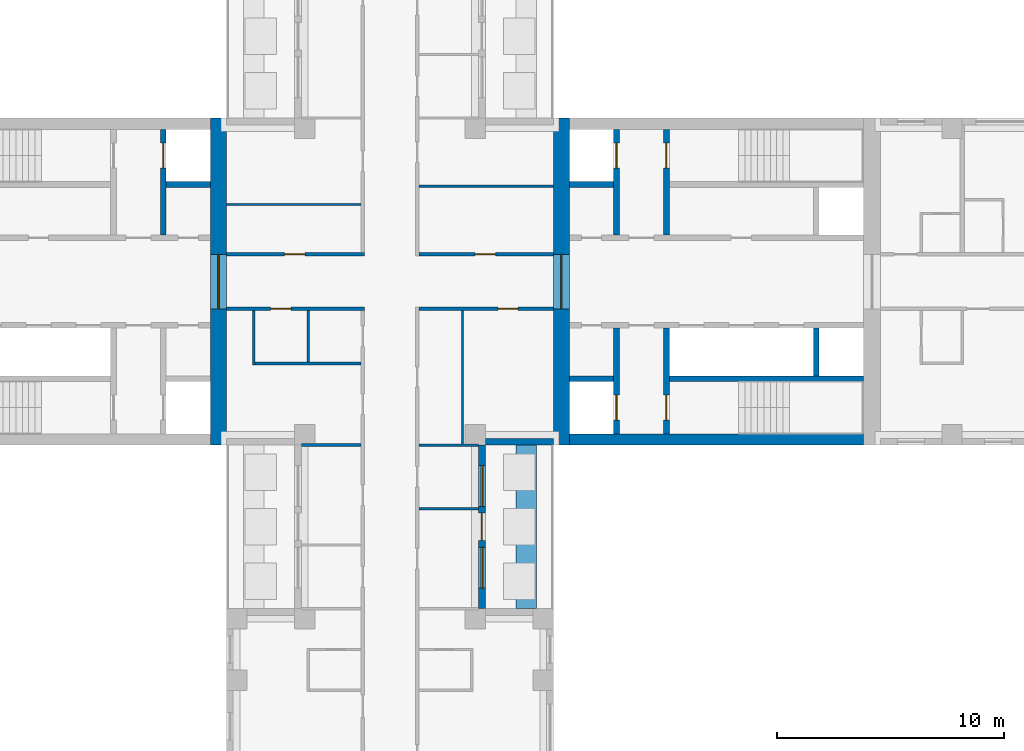
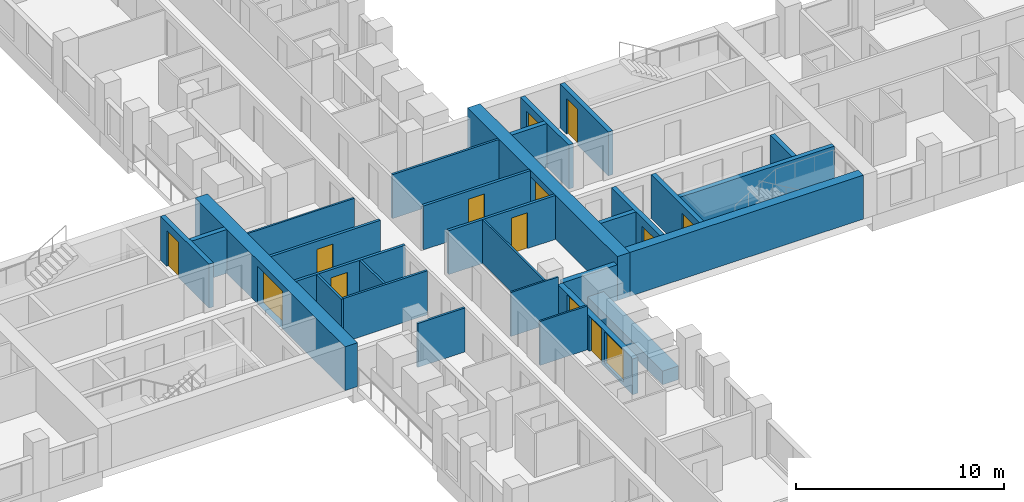
# One storey, part 7 of 15: 29 walls, 12 doors, 2 windows, 14 openings.
"""IFC4 building model written with IfcOpenShell, lengths in metres."""

from ifc_helpers import new_model, si_unit, direction, frame, frame_2d, origin, place, context, subcontext, project, spatial, rectangle, extrude, material, layer, layer_set, type_object, element, fill, save


model = new_model("IFC4")

# Units and contexts
model_context = context("Model", 3, precision=1e-05, world=origin(), true_north=direction((0.0, 1.0)))
body_context = subcontext(model_context, "Body", "Model", "MODEL_VIEW")
ifc_project = project(units=[si_unit("LENGTHUNIT", "METRE"), si_unit("AREAUNIT", "SQUARE_METRE"), si_unit("VOLUMEUNIT", "CUBIC_METRE"), si_unit("PLANEANGLEUNIT", "RADIAN"), si_unit("MASSUNIT", "GRAM", prefix="KILO")], contexts=[model_context])

# Site, building, storey
site_placement = place(None, origin())
site = spatial("IfcSite", under=ifc_project, at=site_placement, CompositionType="ELEMENT")
building_placement = place(site_placement, origin())
building = spatial("IfcBuilding", under=site, at=building_placement, Name="Fustian Cross Tower", CompositionType="ELEMENT")
storey_placement = place(building_placement, frame((0.0, 0.0, 38.699951171875)))
storey = spatial("IfcBuildingStorey", under=building, at=storey_placement, Name="L11", CompositionType="ELEMENT", Elevation=38.699951171875)

# Wall, opening, door
ifc_material_1 = material(Name="Plasterboard on steel stud", Category="steel")
ifc_layer_1 = layer(ifc_material_1, 0.14990234375)
ifc_layer_set_1 = layer_set([ifc_layer_1], Name="Plasterboard on steel stud")
wall_type_1 = type_object("IfcWallType", Name="COMPARTMENT WALL 150 EI 60", PredefinedType="PARTITIONING", material=ifc_layer_set_1)
wall_1_placement = place(storey_placement, frame((-7.199951171875, -1.199951171875, 0.0), z_axis=(0.0, 0.0, 1.0), x_axis=(1.0, 0.0, 0.0)))
wall_1 = element("IfcWall", 1, at=wall_1_placement, inside=storey, type_object=wall_type_1, Name="Partition 11", PredefinedType="PARTITIONING", context=body_context, shape_type="SweptSolid", body=[
    extrude(rectangle(XDim=6.074951171875, YDim=0.14990234375, at=frame_2d((3.03759765625, 0.0))), origin(), (0.0, 0.0, 1.0), 2.574951171875),
])
opening_1_placement = place(wall_1_placement, frame((1.949951171875, 0.0, 0.0)))
opening_1 = element("IfcOpeningElement", 2, at=opening_1_placement, cuts=wall_1, Name="Opening D07008", PredefinedType="OPENING", context=body_context, shape_type="SweptSolid", body=[
    extrude(rectangle(XDim=0.89990234375, YDim=2.10009765625, at=frame_2d((0.449951171875, 1.050048828125))), frame((0.0, 0.0849609375, 0.0), z_axis=(0.0, -1.0, 0.0), x_axis=(1.0, 0.0, 0.0)), (0.0, 0.0, 1.0), 0.169921875),
])
ifc_material_2 = material(Name="Timber fire door set", Category="wood")
door_type_1 = type_object("IfcDoorType", Name="FIRE SWING DOOR 900 FD30S", OperationType="SINGLE_SWING_LEFT", PredefinedType="DOOR", material=ifc_material_2)
door_1_placement = place(opening_1_placement, frame((0.89990234375, 0.0, 0.0), z_axis=(0.0, 0.0, 1.0), x_axis=(-1.0, 0.0, 0.0)))
door_1 = element("IfcDoor", 3, at=door_1_placement, inside=storey, type_object=door_type_1, Name="Door D07008", OperationType="SINGLE_SWING_RIGHT", OverallHeight=2.10009765625, OverallWidth=0.89990234375, PredefinedType="DOOR", context=body_context, shape_type="SweptSolid", body=[
    extrude(rectangle(XDim=0.89990234375, YDim=2.10009765625, at=frame_2d((0.449951171875, 1.050048828125))), frame((0.0, 0.02490234375, 0.0), z_axis=(0.0, -1.0, 0.0), x_axis=(1.0, 0.0, 0.0)), (0.0, 0.0, 1.0), 0.050048828125),
])
fill(opening_1, door_1)

wall_2_placement = place(storey_placement, frame((-7.199951171875, 1.199951171875, 0.0), z_axis=(0.0, 0.0, 1.0), x_axis=(1.0, 0.0, 0.0)))
wall_2 = element("IfcWall", 4, at=wall_2_placement, inside=storey, type_object=wall_type_1, Name="Partition 12", PredefinedType="PARTITIONING", context=body_context, shape_type="SweptSolid", body=[
    extrude(rectangle(XDim=6.074951171875, YDim=0.14990234375, at=frame_2d((3.03759765625, 0.0))), origin(), (0.0, 0.0, 1.0), 2.574951171875),
])
opening_2_placement = place(wall_2_placement, frame((2.550048828125, 0.0, 0.0)))
opening_2 = element("IfcOpeningElement", 5, at=opening_2_placement, cuts=wall_2, Name="Opening D07003", PredefinedType="OPENING", context=body_context, shape_type="SweptSolid", body=[
    extrude(rectangle(XDim=0.89990234375, YDim=2.10009765625, at=frame_2d((0.449951171875, 1.050048828125))), frame((0.0, 0.0849609375, 0.0), z_axis=(0.0, -1.0, 0.0), x_axis=(1.0, 0.0, 0.0)), (0.0, 0.0, 1.0), 0.169921875),
])
door_2_placement = place(opening_2_placement, origin())
door_2 = element("IfcDoor", 6, at=door_2_placement, inside=storey, type_object=door_type_1, Name="Door D07003", OperationType="SINGLE_SWING_LEFT", OverallHeight=2.10009765625, OverallWidth=0.89990234375, PredefinedType="DOOR", context=body_context, shape_type="SweptSolid", body=[
    extrude(rectangle(XDim=0.89990234375, YDim=2.10009765625, at=frame_2d((0.449951171875, 1.050048828125))), frame((0.0, 0.02490234375, 0.0), z_axis=(0.0, -1.0, 0.0), x_axis=(1.0, 0.0, 0.0)), (0.0, 0.0, 1.0), 0.050048828125),
])
fill(opening_2, door_2)

wall_3_placement = place(storey_placement, frame((1.27490234375, -1.199951171875, 0.0), z_axis=(0.0, 0.0, 1.0), x_axis=(1.0, 0.0, 0.0)))
wall_3 = element("IfcWall", 7, at=wall_3_placement, inside=storey, type_object=wall_type_1, Name="Partition 51", PredefinedType="PARTITIONING", context=body_context, shape_type="SweptSolid", body=[
    extrude(rectangle(XDim=5.925048828125, YDim=0.14990234375, at=frame_2d((2.96240234375, 0.0))), origin(), (0.0, 0.0, 1.0), 2.574951171875),
])
opening_3_placement = place(wall_3_placement, frame((3.47509765625, 0.0, 0.0)))
opening_3 = element("IfcOpeningElement", 8, at=opening_3_placement, cuts=wall_3, Name="Opening D07006", PredefinedType="OPENING", context=body_context, shape_type="SweptSolid", body=[
    extrude(rectangle(XDim=0.89990234375, YDim=2.10009765625, at=frame_2d((0.449951171875, 1.050048828125))), frame((0.0, 0.0849609375, 0.0), z_axis=(0.0, -1.0, 0.0), x_axis=(1.0, 0.0, 0.0)), (0.0, 0.0, 1.0), 0.169921875),
])
door_3_placement = place(opening_3_placement, frame((0.89990234375, 0.0, 0.0), z_axis=(0.0, 0.0, 1.0), x_axis=(-1.0, 0.0, 0.0)))
door_3 = element("IfcDoor", 9, at=door_3_placement, inside=storey, type_object=door_type_1, Name="Door D07006", OperationType="SINGLE_SWING_RIGHT", OverallHeight=2.10009765625, OverallWidth=0.89990234375, PredefinedType="DOOR", context=body_context, shape_type="SweptSolid", body=[
    extrude(rectangle(XDim=0.89990234375, YDim=2.10009765625, at=frame_2d((0.449951171875, 1.050048828125))), frame((0.0, 0.02490234375, 0.0), z_axis=(0.0, -1.0, 0.0), x_axis=(1.0, 0.0, 0.0)), (0.0, 0.0, 1.0), 0.050048828125),
])
fill(opening_3, door_3)

wall_4_placement = place(storey_placement, frame((1.27490234375, 1.199951171875, 0.0), z_axis=(0.0, 0.0, 1.0), x_axis=(1.0, 0.0, 0.0)))
wall_4 = element("IfcWall", 10, at=wall_4_placement, inside=storey, type_object=wall_type_1, Name="Partition 53", PredefinedType="PARTITIONING", context=body_context, shape_type="SweptSolid", body=[
    extrude(rectangle(XDim=5.925048828125, YDim=0.14990234375, at=frame_2d((2.96240234375, 0.0))), origin(), (0.0, 0.0, 1.0), 2.574951171875),
])
opening_4_placement = place(wall_4_placement, frame((2.47509765625, 0.0, 0.0)))
opening_4 = element("IfcOpeningElement", 11, at=opening_4_placement, cuts=wall_4, Name="Opening D07001", PredefinedType="OPENING", context=body_context, shape_type="SweptSolid", body=[
    extrude(rectangle(XDim=0.89990234375, YDim=2.10009765625, at=frame_2d((0.449951171875, 1.050048828125))), frame((0.0, 0.0849609375, 0.0), z_axis=(0.0, -1.0, 0.0), x_axis=(1.0, 0.0, 0.0)), (0.0, 0.0, 1.0), 0.169921875),
])
door_4_placement = place(opening_4_placement, origin())
door_4 = element("IfcDoor", 12, at=door_4_placement, inside=storey, type_object=door_type_1, Name="Door D07001", OperationType="SINGLE_SWING_LEFT", OverallHeight=2.10009765625, OverallWidth=0.89990234375, PredefinedType="DOOR", context=body_context, shape_type="SweptSolid", body=[
    extrude(rectangle(XDim=0.89990234375, YDim=2.10009765625, at=frame_2d((0.449951171875, 1.050048828125))), frame((0.0, 0.02490234375, 0.0), z_axis=(0.0, -1.0, 0.0), x_axis=(1.0, 0.0, 0.0)), (0.0, 0.0, 1.0), 0.050048828125),
])
fill(opening_4, door_4)

ifc_material_3 = material(Name="Concrete C80/95", Category="concrete")
ifc_layer_2 = layer(ifc_material_3, 0.699951171875)
ifc_layer_set_2 = layer_set([ifc_layer_2], Name="Concrete C80/95")
wall_type_2 = type_object("IfcWallType", Name="CORE END WALL 700 C80/95", PredefinedType="SHEAR", material=ifc_layer_set_2)
wall_5_placement = place(storey_placement, frame((7.550048828125, -7.199951171875, 0.0), z_axis=(0.0, 0.0, 1.0), x_axis=(0.0, 1.0, 0.0)))
wall_5 = element("IfcWall", 13, at=wall_5_placement, inside=storey, type_object=wall_type_2, Name="Core end wall", PredefinedType="SHEAR", context=body_context, shape_type="SweptSolid", body=[
    extrude(rectangle(XDim=14.39990234375, YDim=0.699951171875, at=frame_2d((7.199951171875, 0.0))), origin(), (0.0, 0.0, 1.0), 2.574951171875),
])
opening_5_placement = place(wall_5_placement, frame((6.0, 0.0, 0.0)))
opening_5 = element("IfcOpeningElement", 14, at=opening_5_placement, cuts=wall_5, Name="Opening CD-04-12", PredefinedType="OPENING", context=body_context, shape_type="SweptSolid", body=[
    extrude(rectangle(XDim=2.39990234375, YDim=2.199951171875, at=frame_2d((1.199951171875, 1.10009765625))), frame((0.0, 0.35986328125, 0.0), z_axis=(0.0, -1.0, 0.0), x_axis=(1.0, 0.0, 0.0)), (0.0, 0.0, 1.0), 0.719970703125),
])
ifc_material_4 = material(Name="Steel", Category="steel")
door_type_2 = type_object("IfcDoorType", Name="FIRE DOOR FD30S DOUBLE 2400X2200", OperationType="DOUBLE_DOOR_DOUBLE_SWING", PredefinedType="DOOR", material=ifc_material_4)
door_5_placement = place(opening_5_placement, frame((2.39990234375, 0.0, 0.0), z_axis=(0.0, 0.0, 1.0), x_axis=(-1.0, 0.0, 0.0)))
door_5 = element("IfcDoor", 15, at=door_5_placement, inside=storey, type_object=door_type_2, Name="Core door CD-04-12", OperationType="DOUBLE_DOOR_DOUBLE_SWING", OverallHeight=2.199951171875, OverallWidth=2.39990234375, PredefinedType="DOOR", context=body_context, shape_type="SweptSolid", body=[
    extrude(rectangle(XDim=2.39990234375, YDim=2.199951171875, at=frame_2d((1.199951171875, 1.10009765625))), frame((0.0, 0.02490234375, 0.0), z_axis=(0.0, -1.0, 0.0), x_axis=(1.0, 0.0, 0.0)), (0.0, 0.0, 1.0), 0.050048828125),
])
fill(opening_5, door_5)

wall_6_placement = place(storey_placement, frame((-7.550048828125, -7.199951171875, 0.0), z_axis=(0.0, 0.0, 1.0), x_axis=(0.0, 1.0, 0.0)))
wall_6 = element("IfcWall", 16, at=wall_6_placement, inside=storey, type_object=wall_type_2, Name="Core end wall", PredefinedType="SHEAR", context=body_context, shape_type="SweptSolid", body=[
    extrude(rectangle(XDim=14.39990234375, YDim=0.699951171875, at=frame_2d((7.199951171875, 0.0))), origin(), (0.0, 0.0, 1.0), 2.574951171875),
])
opening_6_placement = place(wall_6_placement, frame((6.0, 0.0, 0.0)))
opening_6 = element("IfcOpeningElement", 17, at=opening_6_placement, cuts=wall_6, Name="Opening CD-04-26", PredefinedType="OPENING", context=body_context, shape_type="SweptSolid", body=[
    extrude(rectangle(XDim=2.39990234375, YDim=2.199951171875, at=frame_2d((1.199951171875, 1.10009765625))), frame((0.0, 0.35986328125, 0.0), z_axis=(0.0, -1.0, 0.0), x_axis=(1.0, 0.0, 0.0)), (0.0, 0.0, 1.0), 0.719970703125),
])
door_6_placement = place(opening_6_placement, origin())
door_6 = element("IfcDoor", 18, at=door_6_placement, inside=storey, type_object=door_type_2, Name="Core door CD-04-26", OperationType="DOUBLE_DOOR_DOUBLE_SWING", OverallHeight=2.199951171875, OverallWidth=2.39990234375, PredefinedType="DOOR", context=body_context, shape_type="SweptSolid", body=[
    extrude(rectangle(XDim=2.39990234375, YDim=2.199951171875, at=frame_2d((1.199951171875, 1.10009765625))), frame((0.0, 0.02490234375, 0.0), z_axis=(0.0, -1.0, 0.0), x_axis=(1.0, 0.0, 0.0)), (0.0, 0.0, 1.0), 0.050048828125),
])
fill(opening_6, door_6)

# Walls
ifc_material_5 = material(Name="Concrete C80/95", Category="concrete")
ifc_layer_3 = layer(ifc_material_5, 0.5)
ifc_layer_set_3 = layer_set([ifc_layer_3], Name="Concrete C80/95")
wall_type_3 = type_object("IfcWallType", Name="CORE FACADE WALL 500 C80/95", PredefinedType="SHEAR", material=ifc_layer_set_3)
wall_7_placement = place(storey_placement, frame((7.89990234375, -6.949951171875, 0.0), z_axis=(0.0, 0.0, 1.0), x_axis=(1.0, 0.0, 0.0)))
element("IfcWall", 19, at=wall_7_placement, inside=storey, type_object=wall_type_3, Name="Core facade wall", PredefinedType="SHEAR", context=body_context, shape_type="SweptSolid", body=[
    extrude(rectangle(XDim=12.9501953125, YDim=0.5, at=frame_2d((6.47509765625, 0.0))), origin(), (0.0, 0.0, 1.0), 2.574951171875),
])
ifc_material_6 = material(Name="Concrete C50/60", Category="concrete")
ifc_layer_4 = layer(ifc_material_6, 0.25)
ifc_layer_set_4 = layer_set([ifc_layer_4], Name="Concrete C50/60")
wall_type_4 = type_object("IfcWallType", Name="CORE SHAFT WALL 250 C50/60", PredefinedType="SHEAR", material=ifc_layer_set_4)
wall_8_placement = place(storey_placement, frame((7.89990234375, 4.27490234375, 0.0), z_axis=(0.0, 0.0, 1.0), x_axis=(1.0, 0.0, 0.0)))
element("IfcWall", 20, at=wall_8_placement, inside=storey, type_object=wall_type_4, Name="Core shaft wall", PredefinedType="SHEAR", context=body_context, shape_type="SweptSolid", body=[
    extrude(rectangle(XDim=1.9501953125, YDim=0.25, at=frame_2d((0.97509765625, 0.0))), origin(), (0.0, 0.0, 1.0), 2.574951171875),
])

# Wall, opening, door
wall_9_placement = place(storey_placement, frame((9.97509765625, 2.050048828125, 0.0), z_axis=(0.0, 0.0, 1.0), x_axis=(0.0, 1.0, 0.0)))
wall_9 = element("IfcWall", 21, at=wall_9_placement, inside=storey, type_object=wall_type_4, Name="Core shaft wall", PredefinedType="SHEAR", context=body_context, shape_type="SweptSolid", body=[
    extrude(rectangle(XDim=4.64990234375, YDim=0.25, at=frame_2d((2.324951171875, 0.0))), origin(), (0.0, 0.0, 1.0), 2.574951171875),
])
opening_7_placement = place(wall_9_placement, frame((2.949951171875, 0.0, 0.0)))
opening_7 = element("IfcOpeningElement", 22, at=opening_7_placement, cuts=wall_9, Name="Opening LD", PredefinedType="OPENING", context=body_context, shape_type="SweptSolid", body=[
    extrude(rectangle(XDim=1.10009765625, YDim=2.10009765625, at=frame_2d((0.550048828125, 1.050048828125))), frame((0.0, 0.135009765625, 0.0), z_axis=(0.0, -1.0, 0.0), x_axis=(1.0, 0.0, 0.0)), (0.0, 0.0, 1.0), 0.27001953125),
])
ifc_material_7 = material(Name="Stainless steel", Category="steel")
door_type_3 = type_object("IfcDoorType", Name="LIFT LANDING DOOR 1100X2100", OperationType="SLIDING_TO_LEFT", PredefinedType="DOOR", material=ifc_material_7)
door_7_placement = place(opening_7_placement, origin())
door_7 = element("IfcDoor", 23, at=door_7_placement, inside=storey, type_object=door_type_3, Name="Landing door FL1", OperationType="SLIDING_TO_LEFT", OverallHeight=2.10009765625, OverallWidth=1.10009765625, PredefinedType="DOOR", context=body_context, shape_type="SweptSolid", body=[
    extrude(rectangle(XDim=1.10009765625, YDim=2.10009765625, at=frame_2d((0.550048828125, 1.050048828125))), frame((0.0, 0.02490234375, 0.0), z_axis=(0.0, -1.0, 0.0), x_axis=(1.0, 0.0, 0.0)), (0.0, 0.0, 1.0), 0.050048828125),
])
fill(opening_7, door_7)

wall_10_placement = place(storey_placement, frame((12.175048828125, 2.050048828125, 0.0), z_axis=(0.0, 0.0, 1.0), x_axis=(0.0, 1.0, 0.0)))
wall_10 = element("IfcWall", 24, at=wall_10_placement, inside=storey, type_object=wall_type_4, Name="Core shaft wall", PredefinedType="SHEAR", context=body_context, shape_type="SweptSolid", body=[
    extrude(rectangle(XDim=4.64990234375, YDim=0.25, at=frame_2d((2.324951171875, 0.0))), origin(), (0.0, 0.0, 1.0), 2.574951171875),
])
opening_8_placement = place(wall_10_placement, frame((2.949951171875, 0.0, 0.0)))
opening_8 = element("IfcOpeningElement", 25, at=opening_8_placement, cuts=wall_10, Name="Opening CD-04-06", PredefinedType="OPENING", context=body_context, shape_type="SweptSolid", body=[
    extrude(rectangle(XDim=1.10009765625, YDim=2.10009765625, at=frame_2d((0.550048828125, 1.050048828125))), frame((0.0, 0.135009765625, 0.0), z_axis=(0.0, -1.0, 0.0), x_axis=(1.0, 0.0, 0.0)), (0.0, 0.0, 1.0), 0.27001953125),
])
ifc_material_8 = material(Name="Steel", Category="steel")
door_type_4 = type_object("IfcDoorType", Name="FIRE DOOR FD60S 1100X2100", OperationType="SINGLE_SWING_LEFT", PredefinedType="DOOR", material=ifc_material_8)
door_8_placement = place(opening_8_placement, frame((1.10009765625, 0.0, 0.0), z_axis=(0.0, 0.0, 1.0), x_axis=(-1.0, 0.0, 0.0)))
door_8 = element("IfcDoor", 26, at=door_8_placement, inside=storey, type_object=door_type_4, Name="Core door CD-04-06", OperationType="SINGLE_SWING_RIGHT", OverallHeight=2.10009765625, OverallWidth=1.10009765625, PredefinedType="DOOR", context=body_context, shape_type="SweptSolid", body=[
    extrude(rectangle(XDim=1.10009765625, YDim=2.10009765625, at=frame_2d((0.550048828125, 1.050048828125))), frame((0.0, 0.02490234375, 0.0), z_axis=(0.0, -1.0, 0.0), x_axis=(1.0, 0.0, 0.0)), (0.0, 0.0, 1.0), 0.050048828125),
])
fill(opening_8, door_8)

# Walls
wall_11_placement = place(storey_placement, frame((7.89990234375, -4.27490234375, 0.0), z_axis=(0.0, 0.0, 1.0), x_axis=(1.0, 0.0, 0.0)))
element("IfcWall", 27, at=wall_11_placement, inside=storey, type_object=wall_type_4, Name="Core shaft wall", PredefinedType="SHEAR", context=body_context, shape_type="SweptSolid", body=[
    extrude(rectangle(XDim=1.9501953125, YDim=0.25, at=frame_2d((0.97509765625, 0.0))), origin(), (0.0, 0.0, 1.0), 2.574951171875),
])
wall_12_placement = place(storey_placement, frame((12.300048828125, -4.27490234375, 0.0), z_axis=(0.0, 0.0, 1.0), x_axis=(1.0, 0.0, 0.0)))
element("IfcWall", 28, at=wall_12_placement, inside=storey, type_object=wall_type_4, Name="Core shaft wall", PredefinedType="SHEAR", context=body_context, shape_type="SweptSolid", body=[
    extrude(rectangle(XDim=8.550048828125, YDim=0.25, at=frame_2d((4.27490234375, 0.0))), origin(), (0.0, 0.0, 1.0), 2.574951171875),
])

# Wall, opening, door
wall_13_placement = place(storey_placement, frame((9.97509765625, -2.050048828125, 0.0), z_axis=(0.0, 0.0, 1.0), x_axis=(0.0, -1.0, 0.0)))
wall_13 = element("IfcWall", 29, at=wall_13_placement, inside=storey, type_object=wall_type_4, Name="Core shaft wall", PredefinedType="SHEAR", context=body_context, shape_type="SweptSolid", body=[
    extrude(rectangle(XDim=4.64990234375, YDim=0.25, at=frame_2d((2.324951171875, 0.0))), origin(), (0.0, 0.0, 1.0), 2.574951171875),
])
opening_9_placement = place(wall_13_placement, frame((2.949951171875, 0.0, 0.0)))
opening_9 = element("IfcOpeningElement", 30, at=opening_9_placement, cuts=wall_13, Name="Opening LD", PredefinedType="OPENING", context=body_context, shape_type="SweptSolid", body=[
    extrude(rectangle(XDim=1.10009765625, YDim=2.10009765625, at=frame_2d((0.550048828125, 1.050048828125))), frame((0.0, 0.135009765625, 0.0), z_axis=(0.0, -1.0, 0.0), x_axis=(1.0, 0.0, 0.0)), (0.0, 0.0, 1.0), 0.27001953125),
])
door_9_placement = place(opening_9_placement, origin())
door_9 = element("IfcDoor", 31, at=door_9_placement, inside=storey, type_object=door_type_3, Name="Landing door SV1", OperationType="SLIDING_TO_LEFT", OverallHeight=2.10009765625, OverallWidth=1.10009765625, PredefinedType="DOOR", context=body_context, shape_type="SweptSolid", body=[
    extrude(rectangle(XDim=1.10009765625, YDim=2.10009765625, at=frame_2d((0.550048828125, 1.050048828125))), frame((0.0, 0.02490234375, 0.0), z_axis=(0.0, -1.0, 0.0), x_axis=(1.0, 0.0, 0.0)), (0.0, 0.0, 1.0), 0.050048828125),
])
fill(opening_9, door_9)

wall_14_placement = place(storey_placement, frame((12.175048828125, -2.050048828125, 0.0), z_axis=(0.0, 0.0, 1.0), x_axis=(0.0, -1.0, 0.0)))
wall_14 = element("IfcWall", 32, at=wall_14_placement, inside=storey, type_object=wall_type_4, Name="Core shaft wall", PredefinedType="SHEAR", context=body_context, shape_type="SweptSolid", body=[
    extrude(rectangle(XDim=4.64990234375, YDim=0.25, at=frame_2d((2.324951171875, 0.0))), origin(), (0.0, 0.0, 1.0), 2.574951171875),
])
opening_10_placement = place(wall_14_placement, frame((2.949951171875, 0.0, 0.0)))
opening_10 = element("IfcOpeningElement", 33, at=opening_10_placement, cuts=wall_14, Name="Opening CD-04-07", PredefinedType="OPENING", context=body_context, shape_type="SweptSolid", body=[
    extrude(rectangle(XDim=1.10009765625, YDim=2.10009765625, at=frame_2d((0.550048828125, 1.050048828125))), frame((0.0, 0.135009765625, 0.0), z_axis=(0.0, -1.0, 0.0), x_axis=(1.0, 0.0, 0.0)), (0.0, 0.0, 1.0), 0.27001953125),
])
door_10_placement = place(opening_10_placement, origin())
door_10 = element("IfcDoor", 34, at=door_10_placement, inside=storey, type_object=door_type_4, Name="Core door CD-04-07", OperationType="SINGLE_SWING_LEFT", OverallHeight=2.10009765625, OverallWidth=1.10009765625, PredefinedType="DOOR", context=body_context, shape_type="SweptSolid", body=[
    extrude(rectangle(XDim=1.10009765625, YDim=2.10009765625, at=frame_2d((0.550048828125, 1.050048828125))), frame((0.0, 0.02490234375, 0.0), z_axis=(0.0, -1.0, 0.0), x_axis=(1.0, 0.0, 0.0)), (0.0, 0.0, 1.0), 0.050048828125),
])
fill(opening_10, door_10)

# Wall
wall_15_placement = place(storey_placement, frame((-7.89990234375, 4.27490234375, 0.0), z_axis=(0.0, 0.0, 1.0), x_axis=(-1.0, 0.0, 0.0)))
element("IfcWall", 35, at=wall_15_placement, inside=storey, type_object=wall_type_4, Name="Core shaft wall", PredefinedType="SHEAR", context=body_context, shape_type="SweptSolid", body=[
    extrude(rectangle(XDim=1.9501953125, YDim=0.25, at=frame_2d((0.97509765625, 0.0))), origin(), (0.0, 0.0, 1.0), 2.574951171875),
])

# Wall, opening, door
wall_16_placement = place(storey_placement, frame((-9.97509765625, 2.050048828125, 0.0), z_axis=(0.0, 0.0, 1.0), x_axis=(0.0, 1.0, 0.0)))
wall_16 = element("IfcWall", 36, at=wall_16_placement, inside=storey, type_object=wall_type_4, Name="Core shaft wall", PredefinedType="SHEAR", context=body_context, shape_type="SweptSolid", body=[
    extrude(rectangle(XDim=4.64990234375, YDim=0.25, at=frame_2d((2.324951171875, 0.0))), origin(), (0.0, 0.0, 1.0), 2.574951171875),
])
opening_11_placement = place(wall_16_placement, frame((2.949951171875, 0.0, 0.0)))
opening_11 = element("IfcOpeningElement", 37, at=opening_11_placement, cuts=wall_16, Name="Opening LD", PredefinedType="OPENING", context=body_context, shape_type="SweptSolid", body=[
    extrude(rectangle(XDim=1.10009765625, YDim=2.10009765625, at=frame_2d((0.550048828125, 1.050048828125))), frame((0.0, 0.135009765625, 0.0), z_axis=(0.0, -1.0, 0.0), x_axis=(1.0, 0.0, 0.0)), (0.0, 0.0, 1.0), 0.27001953125),
])
door_11_placement = place(opening_11_placement, origin())
door_11 = element("IfcDoor", 38, at=door_11_placement, inside=storey, type_object=door_type_3, Name="Landing door FL1W", OperationType="SLIDING_TO_LEFT", OverallHeight=2.10009765625, OverallWidth=1.10009765625, PredefinedType="DOOR", context=body_context, shape_type="SweptSolid", body=[
    extrude(rectangle(XDim=1.10009765625, YDim=2.10009765625, at=frame_2d((0.550048828125, 1.050048828125))), frame((0.0, 0.02490234375, 0.0), z_axis=(0.0, -1.0, 0.0), x_axis=(1.0, 0.0, 0.0)), (0.0, 0.0, 1.0), 0.050048828125),
])
fill(opening_11, door_11)

# Walls
ifc_material_9 = material(Name="Plasterboard on steel stud", Category="steel")
ifc_layer_5 = layer(ifc_material_9, 0.10009765625)
ifc_layer_set_5 = layer_set([ifc_layer_5], Name="Plasterboard on steel stud")
wall_type_5 = type_object("IfcWallType", Name="PARTITION 100 STUD", PredefinedType="PARTITIONING", material=ifc_layer_set_5)
wall_17_placement = place(storey_placement, frame((-7.199951171875, 3.39990234375, 0.0), z_axis=(0.0, 0.0, 1.0), x_axis=(1.0, 0.0, 0.0)))
element("IfcWall", 39, at=wall_17_placement, inside=storey, type_object=wall_type_5, Name="Partition 13", PredefinedType="PARTITIONING", context=body_context, shape_type="SweptSolid", body=[
    extrude(rectangle(XDim=5.925048828125, YDim=0.10009765625, at=frame_2d((2.96240234375, 0.0))), origin(), (0.0, 0.0, 1.0), 2.574951171875),
])
for number, where, z_axis, x_axis, name in (
    (40, (1.27490234375, -10.0, 0.0), (0.0, 0.0, 1.0), (1.0, 0.0, 0.0), "Partition 49"),
    (41, (1.27490234375, -7.199951171875, 0.0), (0.0, 0.0, 1.0), (1.0, 0.0, 0.0), "Partition 50"),
):
    element("IfcWall", number, at=place(storey_placement, frame(where, z_axis=z_axis, x_axis=x_axis)), inside=storey, type_object=wall_type_5, Name=name, PredefinedType="PARTITIONING", context=body_context, shape_type="SweptSolid", body=[
        extrude(rectangle(XDim=2.625, YDim=0.10009765625, at=frame_2d((1.3125, 0.0))), origin(), (0.0, 0.0, 1.0), 2.574951171875),
    ])
wall_18_placement = place(storey_placement, frame((3.199951171875, -7.14990234375, 0.0), z_axis=(0.0, 0.0, 1.0), x_axis=(0.0, 1.0, 0.0)))
element("IfcWall", 42, at=wall_18_placement, inside=storey, type_object=wall_type_5, Name="Partition 70", PredefinedType="PARTITIONING", context=body_context, shape_type="SweptSolid", body=[
    extrude(rectangle(XDim=5.875, YDim=0.10009765625, at=frame_2d((2.9375, 0.0))), origin(), (0.0, 0.0, 1.0), 2.574951171875),
])
ifc_material_10 = material(Name="Concrete C40/50", Category="concrete")
ifc_layer_6 = layer(ifc_material_10, 0.89990234375)
ifc_layer_set_6 = layer_set([ifc_layer_6], Name="Concrete C40/50")
wall_type_6 = type_object("IfcWallType", Name="PK1 PLANTER 900", PredefinedType="PARAPET", material=ifc_layer_set_6)
wall_19_placement = place(storey_placement, frame((6.0, -14.39990234375, 0.0), z_axis=(0.0, 0.0, 1.0), x_axis=(0.0, 1.0, 0.0)))
element("IfcWall", 43, at=wall_19_placement, inside=storey, type_object=wall_type_6, Name="PLANTER", PredefinedType="PARAPET", context=body_context, shape_type="SweptSolid", body=[
    extrude(rectangle(XDim=7.199951171875, YDim=0.89990234375, at=frame_2d((3.60009765625, 0.0))), origin(), (0.0, 0.0, 1.0), 0.800048828125),
])
ifc_material_11 = material(Name="Concrete C40/50", Category="concrete")
ifc_layer_7 = layer(ifc_material_11, 0.25)
ifc_layer_set_7 = layer_set([ifc_layer_7], Name="Concrete C40/50")
wall_type_7 = type_object("IfcWallType", Name="SHAFT PARTITION WALL 250 C40/50", PredefinedType="PARTITIONING", material=ifc_layer_set_7)
wall_20_placement = place(storey_placement, frame((18.77490234375, -2.050048828125, 0.0), z_axis=(0.0, 0.0, 1.0), x_axis=(0.0, -1.0, 0.0)))
element("IfcWall", 44, at=wall_20_placement, inside=storey, type_object=wall_type_7, Name="Core shaft wall", PredefinedType="PARTITIONING", context=body_context, shape_type="SweptSolid", body=[
    extrude(rectangle(XDim=2.099853515625, YDim=0.25, at=frame_2d((1.0498046875, 0.0))), origin(), (0.0, 0.0, 1.0), 2.574951171875),
])
ifc_material_12 = material(Name="Plasterboard on steel stud", Category="steel")
ifc_layer_8 = layer(ifc_material_12, 0.125)
ifc_layer_set_8 = layer_set([ifc_layer_8], Name="Plasterboard on steel stud")
wall_type_8 = type_object("IfcWallType", Name="WET WALL 125 STUD", PredefinedType="PARTITIONING", material=ifc_layer_set_8)
wall_21_placement = place(storey_placement, frame((-6.0, -3.66259765625, 0.0), z_axis=(0.0, 0.0, 1.0), x_axis=(0.0, 1.0, 0.0)))
element("IfcWall", 45, at=wall_21_placement, inside=storey, type_object=wall_type_8, Name="Partition 22", PredefinedType="PARTITIONING", context=body_context, shape_type="SweptSolid", body=[
    extrude(rectangle(XDim=2.3876953125, YDim=0.125, at=frame_2d((1.19384765625, 0.0))), origin(), (0.0, 0.0, 1.0), 2.574951171875),
])
wall_22_placement = place(storey_placement, frame((-5.9375, -3.60009765625, 0.0), z_axis=(0.0, 0.0, 1.0), x_axis=(1.0, 0.0, 0.0)))
element("IfcWall", 46, at=wall_22_placement, inside=storey, type_object=wall_type_8, Name="Partition 23", PredefinedType="PARTITIONING", context=body_context, shape_type="SweptSolid", body=[
    extrude(rectangle(XDim=4.66259765625, YDim=0.125, at=frame_2d((2.331298828125, 0.0))), origin(), (0.0, 0.0, 1.0), 2.574951171875),
])
wall_23_placement = place(storey_placement, frame((-3.89990234375, -7.199951171875, 0.0), z_axis=(0.0, 0.0, 1.0), x_axis=(1.0, 0.0, 0.0)))
element("IfcWall", 47, at=wall_23_placement, inside=storey, type_object=wall_type_8, Name="Partition 26", PredefinedType="PARTITIONING", context=body_context, shape_type="SweptSolid", body=[
    extrude(rectangle(XDim=2.625, YDim=0.125, at=frame_2d((1.3125, 0.0))), origin(), (0.0, 0.0, 1.0), 2.574951171875),
])
wall_24_placement = place(storey_placement, frame((-3.60009765625, -3.53759765625, 0.0), z_axis=(0.0, 0.0, 1.0), x_axis=(0.0, 1.0, 0.0)))
element("IfcWall", 48, at=wall_24_placement, inside=storey, type_object=wall_type_8, Name="Partition 32", PredefinedType="PARTITIONING", context=body_context, shape_type="SweptSolid", body=[
    extrude(rectangle(XDim=2.2626953125, YDim=0.125, at=frame_2d((1.13134765625, 0.0))), origin(), (0.0, 0.0, 1.0), 2.574951171875),
])
wall_25_placement = place(storey_placement, frame((1.27490234375, 4.199951171875, 0.0), z_axis=(0.0, 0.0, 1.0), x_axis=(1.0, 0.0, 0.0)))
element("IfcWall", 49, at=wall_25_placement, inside=storey, type_object=wall_type_8, Name="Partition 54", PredefinedType="PARTITIONING", context=body_context, shape_type="SweptSolid", body=[
    extrude(rectangle(XDim=5.925048828125, YDim=0.125, at=frame_2d((2.96240234375, 0.0))), origin(), (0.0, 0.0, 1.0), 2.574951171875),
])

# Wall, openings, door, windows
ifc_material_13 = material(Name="Dark aluminium cladding on insulated backing wall", Category="aluminium")
ifc_layer_9 = layer(ifc_material_13, 0.300048828125)
ifc_layer_set_9 = layer_set([ifc_layer_9], Name="Dark aluminium cladding on insulated backing wall")
wall_type_9 = type_object("IfcWallType", Name="XW1 EXTERNAL WALL 300", PredefinedType="SOLIDWALL", material=ifc_layer_set_9)
wall_26_placement = place(storey_placement, frame((4.050048828125, -14.39990234375, 0.0), z_axis=(0.0, 0.0, 1.0), x_axis=(0.0, 1.0, 0.0)))
wall_26 = element("IfcWall", 50, at=wall_26_placement, inside=storey, type_object=wall_type_9, Name="External wall", PredefinedType="SOLIDWALL", context=body_context, shape_type="SweptSolid", body=[
    extrude(rectangle(XDim=7.199951171875, YDim=0.300048828125, at=frame_2d((3.60009765625, 0.0))), origin(), (0.0, 0.0, 1.0), 2.10009765625),
])
opening_12_placement = place(wall_26_placement, frame((3.0, 0.0, 0.0)))
opening_12 = element("IfcOpeningElement", 51, at=opening_12_placement, cuts=wall_26, Name="Opening XD3", PredefinedType="OPENING", context=body_context, shape_type="SweptSolid", body=[
    extrude(rectangle(XDim=1.199951171875, YDim=2.050048828125, at=frame_2d((0.60009765625, 1.02490234375))), frame((0.0, 0.159912109375, 0.0), z_axis=(0.0, -1.0, 0.0), x_axis=(1.0, 0.0, 0.0)), (0.0, 0.0, 1.0), 0.320068359375),
])
opening_13_placement = place(wall_26_placement, frame((0.89990234375, 0.0, 0.199951171875)))
opening_13 = element("IfcOpeningElement", 52, at=opening_13_placement, cuts=wall_26, Name="Opening WN2", PredefinedType="OPENING", context=body_context, shape_type="SweptSolid", body=[
    extrude(rectangle(XDim=1.800048828125, YDim=1.85009765625, at=frame_2d((0.89990234375, 0.925048828125))), frame((0.0, 0.159912109375, 0.0), z_axis=(0.0, -1.0, 0.0), x_axis=(1.0, 0.0, 0.0)), (0.0, 0.0, 1.0), 0.320068359375),
])
opening_14_placement = place(wall_26_placement, frame((4.5, 0.0, 0.199951171875)))
opening_14 = element("IfcOpeningElement", 53, at=opening_14_placement, cuts=wall_26, Name="Opening WN2", PredefinedType="OPENING", context=body_context, shape_type="SweptSolid", body=[
    extrude(rectangle(XDim=1.800048828125, YDim=1.85009765625, at=frame_2d((0.89990234375, 0.925048828125))), frame((0.0, 0.159912109375, 0.0), z_axis=(0.0, -1.0, 0.0), x_axis=(1.0, 0.0, 0.0)), (0.0, 0.0, 1.0), 0.320068359375),
])
ifc_material_14 = material(Name="Dark anodised aluminium and double glazing", Category="aluminium")
door_type_5 = type_object("IfcDoorType", Name="ED1 BALCONY DOOR 1200X2050", OperationType="SINGLE_SWING_LEFT", PredefinedType="DOOR", material=ifc_material_14)
door_12_placement = place(opening_12_placement, origin())
door_12 = element("IfcDoor", 54, at=door_12_placement, inside=storey, type_object=door_type_5, Name="Balcony door", OperationType="SINGLE_SWING_LEFT", OverallHeight=2.050048828125, OverallWidth=1.199951171875, PredefinedType="DOOR", context=body_context, shape_type="SweptSolid", body=[
    extrude(rectangle(XDim=1.199951171875, YDim=2.050048828125, at=frame_2d((0.60009765625, 1.02490234375))), frame((0.0, 0.02490234375, 0.0), z_axis=(0.0, -1.0, 0.0), x_axis=(1.0, 0.0, 0.0)), (0.0, 0.0, 1.0), 0.050048828125),
])
fill(opening_12, door_12)
ifc_material_15 = material(Name="Dark anodised aluminium and double glazing", Category="aluminium")
window_type = type_object("IfcWindowType", Name="WN2 WINDOW 1800X1850", PartitioningType="SINGLE_PANEL", PredefinedType="WINDOW", material=ifc_material_15)
window_1_placement = place(opening_13_placement, origin())
window_1 = element("IfcWindow", 55, at=window_1_placement, inside=storey, type_object=window_type, Name="Window", OverallHeight=1.85009765625, OverallWidth=1.800048828125, PartitioningType="SINGLE_PANEL", PredefinedType="WINDOW", context=body_context, shape_type="SweptSolid", body=[
    extrude(rectangle(XDim=1.800048828125, YDim=1.85009765625, at=frame_2d((0.89990234375, 0.925048828125))), frame((0.0, 0.030029296875, 0.0), z_axis=(0.0, -1.0, 0.0), x_axis=(1.0, 0.0, 0.0)), (0.0, 0.0, 1.0), 0.06005859375),
])
fill(opening_13, window_1)
window_2_placement = place(opening_14_placement, origin())
window_2 = element("IfcWindow", 56, at=window_2_placement, inside=storey, type_object=window_type, Name="Window", OverallHeight=1.85009765625, OverallWidth=1.800048828125, PartitioningType="SINGLE_PANEL", PredefinedType="WINDOW", context=body_context, shape_type="SweptSolid", body=[
    extrude(rectangle(XDim=1.800048828125, YDim=1.85009765625, at=frame_2d((0.89990234375, 0.925048828125))), frame((0.0, 0.030029296875, 0.0), z_axis=(0.0, -1.0, 0.0), x_axis=(1.0, 0.0, 0.0)), (0.0, 0.0, 1.0), 0.06005859375),
])
fill(opening_14, window_2)

# Wall
wall_27_placement = place(storey_placement, frame((4.199951171875, -7.050048828125, 0.0), z_axis=(0.0, 0.0, 1.0), x_axis=(1.0, 0.0, 0.0)))
element("IfcWall", 57, at=wall_27_placement, inside=storey, type_object=wall_type_9, Name="External wall", PredefinedType="SOLIDWALL", context=body_context, shape_type="SweptSolid", body=[
    extrude(rectangle(XDim=3.0, YDim=0.300048828125, at=frame_2d((1.5, 0.0))), origin(), (0.0, 0.0, 1.0), 2.10009765625),
])

save(model, "model.ifc")
